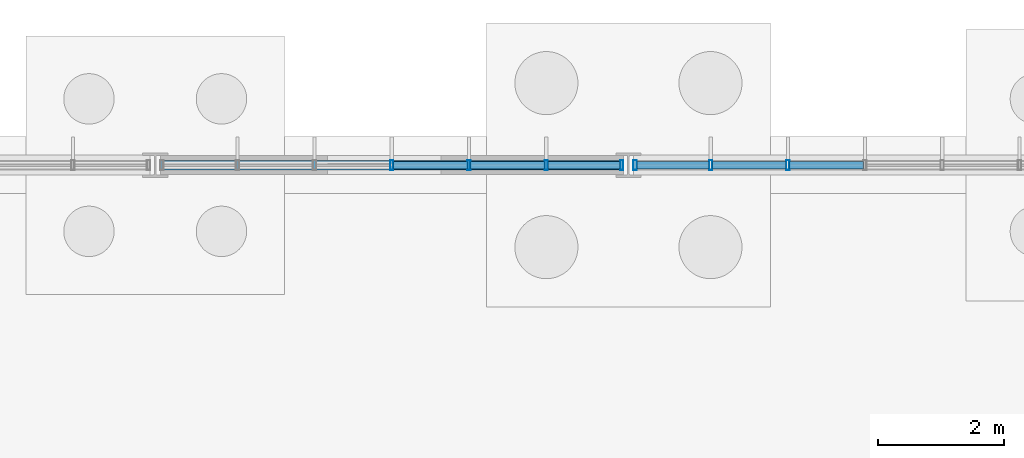
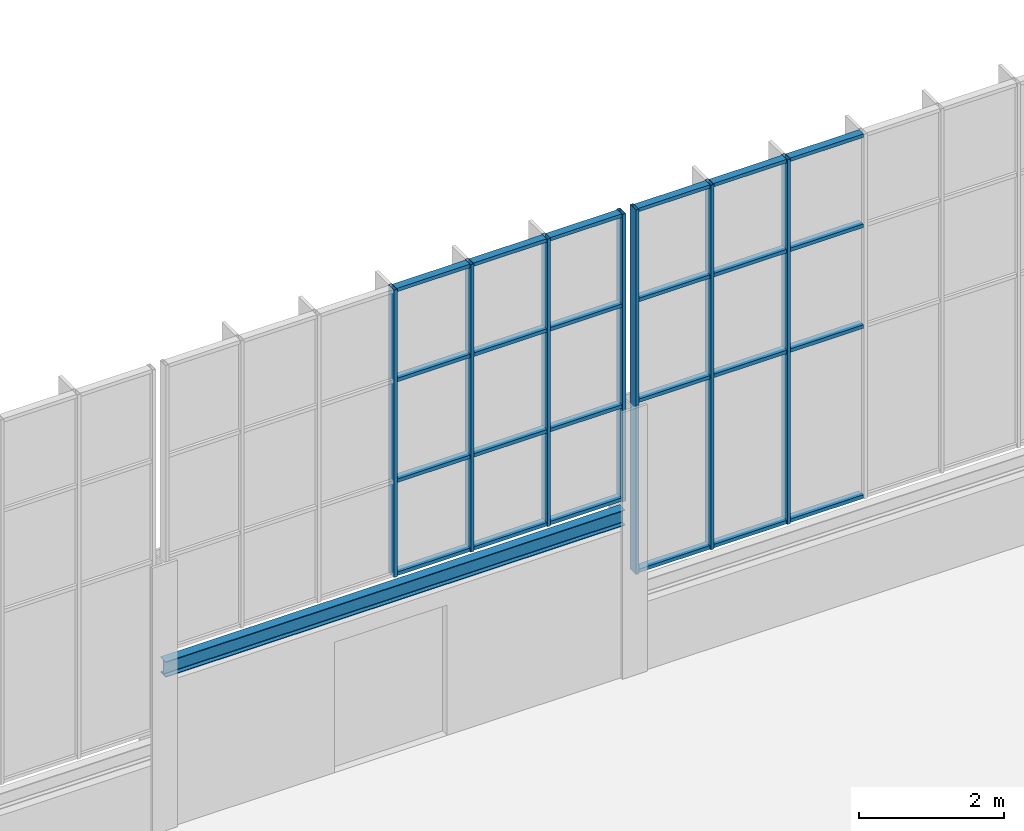
# One storey, part 57 of 136: 31 members, 1 beam, 2 elements without a shape of their own.
"""IFC4 building model written with IfcOpenShell, lengths in metres."""

from ifc_helpers import new_model, si_unit, direction, frame, origin, origin_2d, place, context, subcontext, project, spatial, hollow_rectangle, i_section, extrude, material, layer, layer_set, material_profile, profile_set, type_object, element, aggregate, save


model = new_model("IFC4")

# Units and contexts
model_context = context("Model", 3, precision=1e-05, world=origin(), true_north=direction((0.0, 1.0)))
body_context = subcontext(model_context, "Body", "Model", "MODEL_VIEW")
ifc_project = project(units=[si_unit("LENGTHUNIT", "METRE"), si_unit("AREAUNIT", "SQUARE_METRE"), si_unit("VOLUMEUNIT", "CUBIC_METRE"), si_unit("PLANEANGLEUNIT", "RADIAN"), si_unit("MASSUNIT", "GRAM", prefix="KILO")], contexts=[model_context])

# Site, building, storey
site_placement = place(None, origin())
site = spatial("IfcSite", under=ifc_project, at=site_placement, CompositionType="ELEMENT")
building_placement = place(site_placement, origin())
building = spatial("IfcBuilding", under=site, at=building_placement, Name="Solvenia Promenade Tram Depot", CompositionType="ELEMENT")
storey_placement = place(building_placement, origin())
storey = spatial("IfcBuildingStorey", under=building, at=storey_placement, Name="L00", CompositionType="ELEMENT", Elevation=0.0)

# Curtain wall, members
ifc_material_1 = material(Name="Anodized aluminium AW-6063 T6", Category="aluminium")
ifc_layer = layer(ifc_material_1, 0.159912109375, Name="Anodized aluminium AW-6063 T6", Category="aluminium")
ifc_layer_set = layer_set([ifc_layer], Name="Anodized aluminium AW-6063 T6")
curtain_wall_type = type_object("IfcCurtainWallType", Name="CW-Channel-1200", PredefinedType="NOTDEFINED", material=ifc_layer_set)
curtain_wall_1_placement = place(storey_placement, origin())
curtain_wall_1 = element("IfcCurtainWall", 1, at=curtain_wall_1_placement, inside=storey, type_object=curtain_wall_type, Name="North Translucent Channel-Glass Wall 05", PredefinedType="NOTDEFINED")
ifc_material_profile_1 = material_profile(ifc_material_1, hollow_rectangle(XDim=0.159912109375, YDim=0.052001953125, WallThickness=0.00390625, at=origin_2d()), Name="ALU-M1", Category="aluminium")
ifc_profile_set_1 = profile_set([ifc_material_profile_1], Name="Anodized aluminium AW-6063 T6")
member_type_1 = type_object("IfcMemberType", Name="CWM-Mullion-1", PredefinedType="MULLION", material=ifc_profile_set_1)
member_1_placement = place(storey_placement, frame((33.75, 126.0, 2.89990234375), z_axis=(0.0, 0.0, 1.0), x_axis=(0.0, 1.0, 0.0)))
member_1 = element("IfcMember", 2, at=member_1_placement, type_object=member_type_1, Name="CW-1 mullion 4", PredefinedType="MULLION", context=body_context, shape_type="SweptSolid", body=[
    extrude(hollow_rectangle(XDim=0.159912109375, YDim=0.052001953125, WallThickness=0.00390625, at=origin_2d()), origin(), (0.0, 0.0, 1.0), 4.85009765625),
])
member_2_placement = place(storey_placement, frame((34.973388671875, 126.0, 2.89990234375), z_axis=(0.0, 0.0, 1.0), x_axis=(0.0, 1.0, 0.0)))
member_2 = element("IfcMember", 3, at=member_2_placement, type_object=member_type_1, Name="CW-1 mullion 5", PredefinedType="MULLION", context=body_context, shape_type="SweptSolid", body=[
    extrude(hollow_rectangle(XDim=0.159912109375, YDim=0.052001953125, WallThickness=0.00390625, at=origin_2d()), origin(), (0.0, 0.0, 1.0), 4.85009765625),
])
member_3_placement = place(storey_placement, frame((36.19677734375, 126.0, 2.89990234375), z_axis=(0.0, 0.0, 1.0), x_axis=(0.0, 1.0, 0.0)))
member_3 = element("IfcMember", 4, at=member_3_placement, type_object=member_type_1, Name="CW-1 mullion 6", PredefinedType="MULLION", context=body_context, shape_type="SweptSolid", body=[
    extrude(hollow_rectangle(XDim=0.159912109375, YDim=0.052001953125, WallThickness=0.00390625, at=origin_2d()), origin(), (0.0, 0.0, 1.0), 4.85009765625),
])
member_4_placement = place(storey_placement, frame((37.39404296875, 126.0, 2.89990234375), z_axis=(0.0, 0.0, 1.0), x_axis=(0.0, 1.0, 0.0)))
member_4 = element("IfcMember", 5, at=member_4_placement, type_object=member_type_1, Name="CW-1 mullion 7", PredefinedType="MULLION", context=body_context, shape_type="SweptSolid", body=[
    extrude(hollow_rectangle(XDim=0.159912109375, YDim=0.052001953125, WallThickness=0.00390625, at=origin_2d()), origin(), (0.0, 0.0, 1.0), 4.85009765625),
])

curtain_wall_2_placement = place(storey_placement, origin())
curtain_wall_2 = element("IfcCurtainWall", 6, at=curtain_wall_2_placement, inside=storey, type_object=curtain_wall_type, Name="North Translucent Channel-Glass Wall 06", PredefinedType="NOTDEFINED")
member_5_placement = place(storey_placement, frame((37.60595703125, 126.0, 1.60009765625), z_axis=(0.0, 0.0, 1.0), x_axis=(0.0, 1.0, 0.0)))
member_5 = element("IfcMember", 7, at=member_5_placement, type_object=member_type_1, Name="CW-1 mullion 1", PredefinedType="MULLION", context=body_context, shape_type="SweptSolid", body=[
    extrude(hollow_rectangle(XDim=0.159912109375, YDim=0.052001953125, WallThickness=0.00390625, at=origin_2d()), origin(), (0.0, 0.0, 1.0), 6.14990234375),
])
member_6_placement = place(storey_placement, frame((38.80322265625, 126.0, 1.60009765625), z_axis=(0.0, 0.0, 1.0), x_axis=(0.0, 1.0, 0.0)))
member_6 = element("IfcMember", 8, at=member_6_placement, type_object=member_type_1, Name="CW-1 mullion 2", PredefinedType="MULLION", context=body_context, shape_type="SweptSolid", body=[
    extrude(hollow_rectangle(XDim=0.159912109375, YDim=0.052001953125, WallThickness=0.00390625, at=origin_2d()), origin(), (0.0, 0.0, 1.0), 6.14990234375),
])
member_7_placement = place(storey_placement, frame((40.026611328125, 126.0, 1.60009765625), z_axis=(0.0, 0.0, 1.0), x_axis=(0.0, 1.0, 0.0)))
member_7 = element("IfcMember", 9, at=member_7_placement, type_object=member_type_1, Name="CW-1 mullion 3", PredefinedType="MULLION", context=body_context, shape_type="SweptSolid", body=[
    extrude(hollow_rectangle(XDim=0.159912109375, YDim=0.052001953125, WallThickness=0.00390625, at=origin_2d()), origin(), (0.0, 0.0, 1.0), 6.14990234375),
])

# Member
ifc_material_profile_2 = material_profile(ifc_material_1, hollow_rectangle(XDim=0.1201171875, YDim=0.06005859375, WallThickness=0.00390625, at=origin_2d()), Name="ALU-T1", Category="aluminium")
ifc_profile_set_2 = profile_set([ifc_material_profile_2], Name="Anodized aluminium AW-6063 T6")
member_type_2 = type_object("IfcMemberType", Name="CWT-Transom-1", PredefinedType="USERDEFINED", material=ifc_profile_set_2)
member_8_placement = place(storey_placement, frame((33.77587890625, 126.0, 2.929931640625), z_axis=(1.0, 0.0, 0.0), x_axis=(0.0, 1.0, 0.0)))
member_8 = element("IfcMember", 10, at=member_8_placement, type_object=member_type_2, Name="CW-1 transom 4.1", ObjectType="TRANSOM", PredefinedType="USERDEFINED", context=body_context, shape_type="SweptSolid", body=[
    extrude(hollow_rectangle(XDim=0.1201171875, YDim=0.06005859375, WallThickness=0.00390625, at=origin_2d()), origin(), (0.0, 0.0, 1.0), 1.17138671875),
])

member_9_placement = place(storey_placement, frame((33.77587890625, 126.0, 4.5), z_axis=(1.0, 0.0, 0.0), x_axis=(0.0, 1.0, 0.0)))
member_9 = element("IfcMember", 11, at=member_9_placement, type_object=member_type_2, Name="CW-1 transom 4.2", ObjectType="TRANSOM", PredefinedType="USERDEFINED", context=body_context, shape_type="SweptSolid", body=[
    extrude(hollow_rectangle(XDim=0.1201171875, YDim=0.06005859375, WallThickness=0.00390625, at=origin_2d()), origin(), (0.0, 0.0, 1.0), 1.17138671875),
])

member_10_placement = place(storey_placement, frame((33.77587890625, 126.0, 6.199951171875), z_axis=(1.0, 0.0, 0.0), x_axis=(0.0, 1.0, 0.0)))
member_10 = element("IfcMember", 12, at=member_10_placement, type_object=member_type_2, Name="CW-1 transom 4.3", ObjectType="TRANSOM", PredefinedType="USERDEFINED", context=body_context, shape_type="SweptSolid", body=[
    extrude(hollow_rectangle(XDim=0.1201171875, YDim=0.06005859375, WallThickness=0.00390625, at=origin_2d()), origin(), (0.0, 0.0, 1.0), 1.17138671875),
])

member_11_placement = place(storey_placement, frame((33.77587890625, 126.0, 7.719970703125), z_axis=(1.0, 0.0, 0.0), x_axis=(0.0, 1.0, 0.0)))
member_11 = element("IfcMember", 13, at=member_11_placement, type_object=member_type_2, Name="CW-1 transom 4.4", ObjectType="TRANSOM", PredefinedType="USERDEFINED", context=body_context, shape_type="SweptSolid", body=[
    extrude(hollow_rectangle(XDim=0.1201171875, YDim=0.06005859375, WallThickness=0.00390625, at=origin_2d()), origin(), (0.0, 0.0, 1.0), 1.17138671875),
])

member_12_placement = place(storey_placement, frame((34.999267578125, 126.0, 2.929931640625), z_axis=(1.0, 0.0, 0.0), x_axis=(0.0, 1.0, 0.0)))
member_12 = element("IfcMember", 14, at=member_12_placement, type_object=member_type_2, Name="CW-1 transom 5.1", ObjectType="TRANSOM", PredefinedType="USERDEFINED", context=body_context, shape_type="SweptSolid", body=[
    extrude(hollow_rectangle(XDim=0.1201171875, YDim=0.06005859375, WallThickness=0.00390625, at=origin_2d()), origin(), (0.0, 0.0, 1.0), 1.17138671875),
])

member_13_placement = place(storey_placement, frame((34.999267578125, 126.0, 4.5), z_axis=(1.0, 0.0, 0.0), x_axis=(0.0, 1.0, 0.0)))
member_13 = element("IfcMember", 15, at=member_13_placement, type_object=member_type_2, Name="CW-1 transom 5.2", ObjectType="TRANSOM", PredefinedType="USERDEFINED", context=body_context, shape_type="SweptSolid", body=[
    extrude(hollow_rectangle(XDim=0.1201171875, YDim=0.06005859375, WallThickness=0.00390625, at=origin_2d()), origin(), (0.0, 0.0, 1.0), 1.17138671875),
])

member_14_placement = place(storey_placement, frame((34.999267578125, 126.0, 6.199951171875), z_axis=(1.0, 0.0, 0.0), x_axis=(0.0, 1.0, 0.0)))
member_14 = element("IfcMember", 16, at=member_14_placement, type_object=member_type_2, Name="CW-1 transom 5.3", ObjectType="TRANSOM", PredefinedType="USERDEFINED", context=body_context, shape_type="SweptSolid", body=[
    extrude(hollow_rectangle(XDim=0.1201171875, YDim=0.06005859375, WallThickness=0.00390625, at=origin_2d()), origin(), (0.0, 0.0, 1.0), 1.17138671875),
])

member_15_placement = place(storey_placement, frame((34.999267578125, 126.0, 7.719970703125), z_axis=(1.0, 0.0, 0.0), x_axis=(0.0, 1.0, 0.0)))
member_15 = element("IfcMember", 17, at=member_15_placement, type_object=member_type_2, Name="CW-1 transom 5.4", ObjectType="TRANSOM", PredefinedType="USERDEFINED", context=body_context, shape_type="SweptSolid", body=[
    extrude(hollow_rectangle(XDim=0.1201171875, YDim=0.06005859375, WallThickness=0.00390625, at=origin_2d()), origin(), (0.0, 0.0, 1.0), 1.17138671875),
])

member_16_placement = place(storey_placement, frame((36.22265625, 126.0, 2.929931640625), z_axis=(1.0, 0.0, 0.0), x_axis=(0.0, 1.0, 0.0)))
member_16 = element("IfcMember", 18, at=member_16_placement, type_object=member_type_2, Name="CW-1 transom 6.1", ObjectType="TRANSOM", PredefinedType="USERDEFINED", context=body_context, shape_type="SweptSolid", body=[
    extrude(hollow_rectangle(XDim=0.1201171875, YDim=0.06005859375, WallThickness=0.00390625, at=origin_2d()), origin(), (0.0, 0.0, 1.0), 1.145263671875),
])

member_17_placement = place(storey_placement, frame((36.22265625, 126.0, 4.5), z_axis=(1.0, 0.0, 0.0), x_axis=(0.0, 1.0, 0.0)))
member_17 = element("IfcMember", 19, at=member_17_placement, type_object=member_type_2, Name="CW-1 transom 6.2", ObjectType="TRANSOM", PredefinedType="USERDEFINED", context=body_context, shape_type="SweptSolid", body=[
    extrude(hollow_rectangle(XDim=0.1201171875, YDim=0.06005859375, WallThickness=0.00390625, at=origin_2d()), origin(), (0.0, 0.0, 1.0), 1.145263671875),
])

member_18_placement = place(storey_placement, frame((36.22265625, 126.0, 6.199951171875), z_axis=(1.0, 0.0, 0.0), x_axis=(0.0, 1.0, 0.0)))
member_18 = element("IfcMember", 20, at=member_18_placement, type_object=member_type_2, Name="CW-1 transom 6.3", ObjectType="TRANSOM", PredefinedType="USERDEFINED", context=body_context, shape_type="SweptSolid", body=[
    extrude(hollow_rectangle(XDim=0.1201171875, YDim=0.06005859375, WallThickness=0.00390625, at=origin_2d()), origin(), (0.0, 0.0, 1.0), 1.145263671875),
])

member_19_placement = place(storey_placement, frame((36.22265625, 126.0, 7.719970703125), z_axis=(1.0, 0.0, 0.0), x_axis=(0.0, 1.0, 0.0)))
member_19 = element("IfcMember", 21, at=member_19_placement, type_object=member_type_2, Name="CW-1 transom 6.4", ObjectType="TRANSOM", PredefinedType="USERDEFINED", context=body_context, shape_type="SweptSolid", body=[
    extrude(hollow_rectangle(XDim=0.1201171875, YDim=0.06005859375, WallThickness=0.00390625, at=origin_2d()), origin(), (0.0, 0.0, 1.0), 1.145263671875),
])

aggregate(curtain_wall_1, [member_1, member_2, member_3, member_4, member_8, member_9, member_10, member_11, member_12, member_13, member_14, member_15, member_16, member_17, member_18, member_19])

member_20_placement = place(storey_placement, frame((37.632080078125, 126.0, 1.6298828125), z_axis=(1.0, 0.0, 0.0), x_axis=(0.0, 1.0, 0.0)))
member_20 = element("IfcMember", 22, at=member_20_placement, type_object=member_type_2, Name="CW-1 transom 1.1", ObjectType="TRANSOM", PredefinedType="USERDEFINED", context=body_context, shape_type="SweptSolid", body=[
    extrude(hollow_rectangle(XDim=0.1201171875, YDim=0.06005859375, WallThickness=0.00390625, at=origin_2d()), origin(), (0.0, 0.0, 1.0), 1.145263671875),
])

member_21_placement = place(storey_placement, frame((37.632080078125, 126.0, 4.5), z_axis=(1.0, 0.0, 0.0), x_axis=(0.0, 1.0, 0.0)))
member_21 = element("IfcMember", 23, at=member_21_placement, type_object=member_type_2, Name="CW-1 transom 1.2", ObjectType="TRANSOM", PredefinedType="USERDEFINED", context=body_context, shape_type="SweptSolid", body=[
    extrude(hollow_rectangle(XDim=0.1201171875, YDim=0.06005859375, WallThickness=0.00390625, at=origin_2d()), origin(), (0.0, 0.0, 1.0), 1.145263671875),
])

member_22_placement = place(storey_placement, frame((37.632080078125, 126.0, 6.199951171875), z_axis=(1.0, 0.0, 0.0), x_axis=(0.0, 1.0, 0.0)))
member_22 = element("IfcMember", 24, at=member_22_placement, type_object=member_type_2, Name="CW-1 transom 1.3", ObjectType="TRANSOM", PredefinedType="USERDEFINED", context=body_context, shape_type="SweptSolid", body=[
    extrude(hollow_rectangle(XDim=0.1201171875, YDim=0.06005859375, WallThickness=0.00390625, at=origin_2d()), origin(), (0.0, 0.0, 1.0), 1.145263671875),
])

member_23_placement = place(storey_placement, frame((37.632080078125, 126.0, 7.719970703125), z_axis=(1.0, 0.0, 0.0), x_axis=(0.0, 1.0, 0.0)))
member_23 = element("IfcMember", 25, at=member_23_placement, type_object=member_type_2, Name="CW-1 transom 1.4", ObjectType="TRANSOM", PredefinedType="USERDEFINED", context=body_context, shape_type="SweptSolid", body=[
    extrude(hollow_rectangle(XDim=0.1201171875, YDim=0.06005859375, WallThickness=0.00390625, at=origin_2d()), origin(), (0.0, 0.0, 1.0), 1.145263671875),
])

member_24_placement = place(storey_placement, frame((38.829345703125, 126.0, 1.6298828125), z_axis=(1.0, 0.0, 0.0), x_axis=(0.0, 1.0, 0.0)))
member_24 = element("IfcMember", 26, at=member_24_placement, type_object=member_type_2, Name="CW-1 transom 2.1", ObjectType="TRANSOM", PredefinedType="USERDEFINED", context=body_context, shape_type="SweptSolid", body=[
    extrude(hollow_rectangle(XDim=0.1201171875, YDim=0.06005859375, WallThickness=0.00390625, at=origin_2d()), origin(), (0.0, 0.0, 1.0), 1.17138671875),
])

member_25_placement = place(storey_placement, frame((38.829345703125, 126.0, 4.5), z_axis=(1.0, 0.0, 0.0), x_axis=(0.0, 1.0, 0.0)))
member_25 = element("IfcMember", 27, at=member_25_placement, type_object=member_type_2, Name="CW-1 transom 2.2", ObjectType="TRANSOM", PredefinedType="USERDEFINED", context=body_context, shape_type="SweptSolid", body=[
    extrude(hollow_rectangle(XDim=0.1201171875, YDim=0.06005859375, WallThickness=0.00390625, at=origin_2d()), origin(), (0.0, 0.0, 1.0), 1.17138671875),
])

member_26_placement = place(storey_placement, frame((38.829345703125, 126.0, 6.199951171875), z_axis=(1.0, 0.0, 0.0), x_axis=(0.0, 1.0, 0.0)))
member_26 = element("IfcMember", 28, at=member_26_placement, type_object=member_type_2, Name="CW-1 transom 2.3", ObjectType="TRANSOM", PredefinedType="USERDEFINED", context=body_context, shape_type="SweptSolid", body=[
    extrude(hollow_rectangle(XDim=0.1201171875, YDim=0.06005859375, WallThickness=0.00390625, at=origin_2d()), origin(), (0.0, 0.0, 1.0), 1.17138671875),
])

member_27_placement = place(storey_placement, frame((38.829345703125, 126.0, 7.719970703125), z_axis=(1.0, 0.0, 0.0), x_axis=(0.0, 1.0, 0.0)))
member_27 = element("IfcMember", 29, at=member_27_placement, type_object=member_type_2, Name="CW-1 transom 2.4", ObjectType="TRANSOM", PredefinedType="USERDEFINED", context=body_context, shape_type="SweptSolid", body=[
    extrude(hollow_rectangle(XDim=0.1201171875, YDim=0.06005859375, WallThickness=0.00390625, at=origin_2d()), origin(), (0.0, 0.0, 1.0), 1.17138671875),
])

member_28_placement = place(storey_placement, frame((40.052734375, 126.0, 1.6298828125), z_axis=(1.0, 0.0, 0.0), x_axis=(0.0, 1.0, 0.0)))
member_28 = element("IfcMember", 30, at=member_28_placement, type_object=member_type_2, Name="CW-1 transom 3.1", ObjectType="TRANSOM", PredefinedType="USERDEFINED", context=body_context, shape_type="SweptSolid", body=[
    extrude(hollow_rectangle(XDim=0.1201171875, YDim=0.06005859375, WallThickness=0.00390625, at=origin_2d()), origin(), (0.0, 0.0, 1.0), 1.17138671875),
])

member_29_placement = place(storey_placement, frame((40.052734375, 126.0, 4.5), z_axis=(1.0, 0.0, 0.0), x_axis=(0.0, 1.0, 0.0)))
member_29 = element("IfcMember", 31, at=member_29_placement, type_object=member_type_2, Name="CW-1 transom 3.2", ObjectType="TRANSOM", PredefinedType="USERDEFINED", context=body_context, shape_type="SweptSolid", body=[
    extrude(hollow_rectangle(XDim=0.1201171875, YDim=0.06005859375, WallThickness=0.00390625, at=origin_2d()), origin(), (0.0, 0.0, 1.0), 1.17138671875),
])

member_30_placement = place(storey_placement, frame((40.052734375, 126.0, 6.199951171875), z_axis=(1.0, 0.0, 0.0), x_axis=(0.0, 1.0, 0.0)))
member_30 = element("IfcMember", 32, at=member_30_placement, type_object=member_type_2, Name="CW-1 transom 3.3", ObjectType="TRANSOM", PredefinedType="USERDEFINED", context=body_context, shape_type="SweptSolid", body=[
    extrude(hollow_rectangle(XDim=0.1201171875, YDim=0.06005859375, WallThickness=0.00390625, at=origin_2d()), origin(), (0.0, 0.0, 1.0), 1.17138671875),
])

member_31_placement = place(storey_placement, frame((40.052734375, 126.0, 7.719970703125), z_axis=(1.0, 0.0, 0.0), x_axis=(0.0, 1.0, 0.0)))
member_31 = element("IfcMember", 33, at=member_31_placement, type_object=member_type_2, Name="CW-1 transom 3.4", ObjectType="TRANSOM", PredefinedType="USERDEFINED", context=body_context, shape_type="SweptSolid", body=[
    extrude(hollow_rectangle(XDim=0.1201171875, YDim=0.06005859375, WallThickness=0.00390625, at=origin_2d()), origin(), (0.0, 0.0, 1.0), 1.17138671875),
])

aggregate(curtain_wall_2, [member_5, member_6, member_7, member_20, member_21, member_22, member_23, member_24, member_25, member_26, member_27, member_28, member_29, member_30, member_31])

# Beam
ifc_material_2 = material(Name="Structural steel ASTM A992 Gr. 50", Category="steel")
ifc_material_profile_3 = material_profile(ifc_material_2, i_section(OverallWidth=0.14697265625, OverallDepth=0.261962890625, WebThickness=0.006591796875, FlangeThickness=0.01123046875, FilletRadius=0.010009765625, at=origin_2d()), Name="W250x39", Category="steel")
ifc_profile_set_3 = profile_set([ifc_material_profile_3], Name="Structural steel ASTM A992 Gr. 50")
beam_type = type_object("IfcBeamType", Name="Lintel-W250x39", PredefinedType="LINTEL", material=ifc_profile_set_3)
beam_placement = place(storey_placement, frame((30.0849609375, 126.0, 2.618896484375), z_axis=(1.0, 0.0, 0.0), x_axis=(0.0, 1.0, 0.0)))
element("IfcBeam", 34, at=beam_placement, inside=storey, type_object=beam_type, Name="North Plinth Header Beam 5 BM-L00-0938", PredefinedType="LINTEL", context=body_context, shape_type="SweptSolid", body=[
    extrude(i_section(OverallWidth=0.14697265625, OverallDepth=0.261962890625, WebThickness=0.006591796875, FlangeThickness=0.01123046875, FilletRadius=0.010009765625, at=origin_2d()), origin(), (0.0, 0.0, 1.0), 7.330078125),
])

save(model, "model.ifc")
